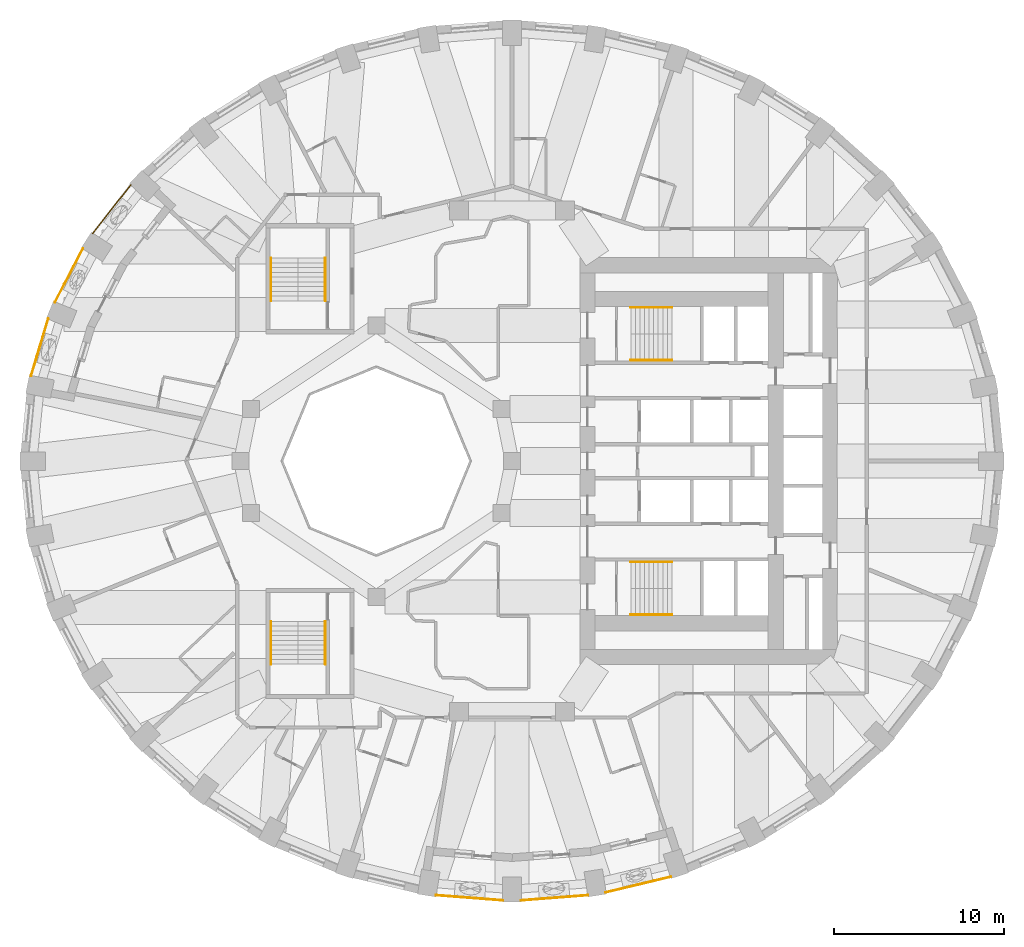
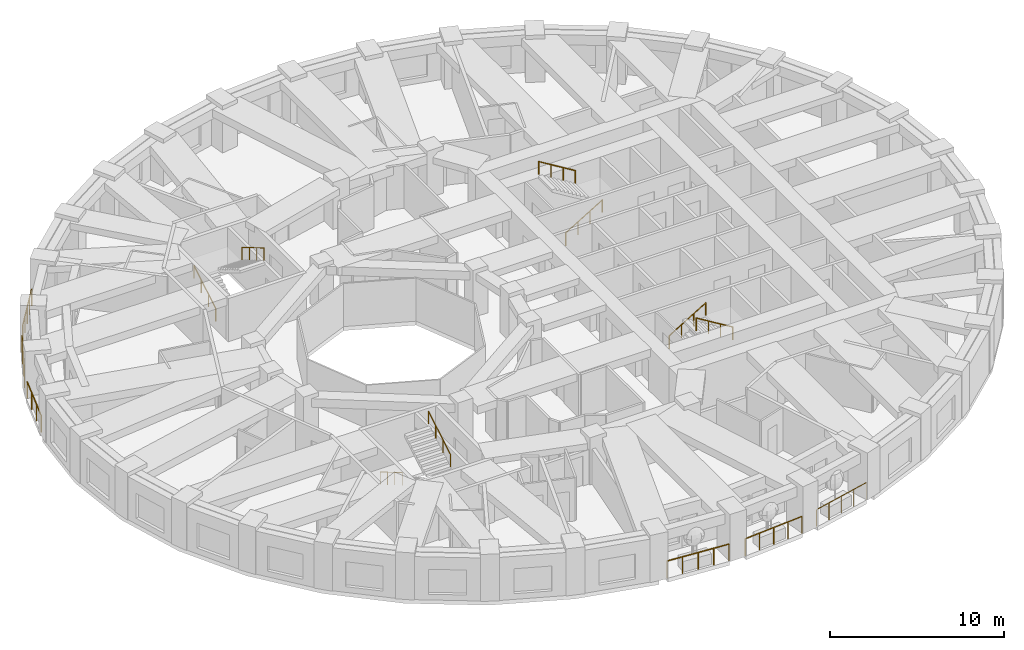
# One storey, part 11 of 13: 14 railings.
"""IFC4 building model written with IfcOpenShell, lengths in metres."""

from ifc_helpers import new_model, si_unit, direction, frame, origin, origin_2d, place, context, subcontext, project, spatial, circle, extrude, material, type_object, element, save


model = new_model("IFC4")

# Units and contexts
model_context = context("Model", 3, precision=1e-05, world=origin(), true_north=direction((0.0, 1.0)))
body_context = subcontext(model_context, "Body", "Model", "MODEL_VIEW")
ifc_project = project(units=[si_unit("LENGTHUNIT", "METRE"), si_unit("AREAUNIT", "SQUARE_METRE"), si_unit("VOLUMEUNIT", "CUBIC_METRE"), si_unit("PLANEANGLEUNIT", "RADIAN"), si_unit("MASSUNIT", "GRAM", prefix="KILO")], contexts=[model_context])

# Site, building, storey
site_placement = place(None, origin())
site = spatial("IfcSite", under=ifc_project, at=site_placement, CompositionType="ELEMENT")
building_placement = place(site_placement, origin())
building = spatial("IfcBuilding", under=site, at=building_placement, Name="Taillehof Tower", CompositionType="ELEMENT")
storey_placement = place(building_placement, frame((0.0, 0.0, 71.199951171875)))
storey = spatial("IfcBuildingStorey", under=building, at=storey_placement, Name="L19", CompositionType="ELEMENT", Elevation=71.199951171875)

# Railings
ifc_material_1 = material(Name="Stainless steel balustrade", Category="steel")
railing_type_1 = type_object("IfcRailingType", Name="Balcony guard 1200", PredefinedType="GUARDRAIL", material=ifc_material_1)
railing_1_placement = place(storey_placement, frame((-4.483154296875, -25.589111328125, 0.0)))
element("IfcRailing", 1, at=railing_1_placement, inside=storey, type_object=railing_type_1, Name="Balcony guard L19 bay 27", PredefinedType="GUARDRAIL", context=body_context, shape_type="SweptSolid", body=[
    extrude(circle(Radius=0.02392578125, at=origin_2d()), frame((0.0, 0.0, 1.17578125), z_axis=(0.996952571778, -0.078010061045, 0.0), x_axis=(0.078010061045, 0.996952571778, 0.0)), (0.0, 0.0, 1.0), 3.965087890625),
    extrude(circle(Radius=0.02099609375, at=origin_2d()), origin(), (0.0, 0.0, 1.0), 1.15185546875),
    extrude(circle(Radius=0.02099609375, at=origin_2d()), frame((0.98828125, -0.077392578125, 0.0)), (0.0, 0.0, 1.0), 1.15185546875),
    extrude(circle(Radius=0.02099609375, at=origin_2d()), frame((1.9765625, -0.15478515625, 0.0)), (0.0, 0.0, 1.0), 1.15185546875),
    extrude(circle(Radius=0.02099609375, at=origin_2d()), frame((2.96484375, -0.23193359375, 0.0)), (0.0, 0.0, 1.0), 1.15185546875),
    extrude(circle(Radius=0.02099609375, at=origin_2d()), frame((3.953125, -0.309326171875, 0.0)), (0.0, 0.0, 1.0), 1.15185546875),
])
railing_2_placement = place(storey_placement, frame((0.530029296875, -25.8984375, 0.0)))
element("IfcRailing", 2, at=railing_2_placement, inside=storey, type_object=railing_type_1, Name="Balcony guard L19 bay 28", PredefinedType="GUARDRAIL", context=body_context, shape_type="SweptSolid", body=[
    extrude(circle(Radius=0.02392578125, at=origin_2d()), frame((0.0, 0.0, 1.17578125), z_axis=(0.996952571778, 0.078010061045, 0.0), x_axis=(-0.078010061045, 0.996952571778, 0.0)), (0.0, 0.0, 1.0), 3.965087890625),
    extrude(circle(Radius=0.02099609375, at=origin_2d()), origin(), (0.0, 0.0, 1.0), 1.15185546875),
    extrude(circle(Radius=0.02099609375, at=origin_2d()), frame((0.98828125, 0.077392578125, 0.0)), (0.0, 0.0, 1.0), 1.15185546875),
    extrude(circle(Radius=0.02099609375, at=origin_2d()), frame((1.9765625, 0.15478515625, 0.0)), (0.0, 0.0, 1.0), 1.15185546875),
    extrude(circle(Radius=0.02099609375, at=origin_2d()), frame((2.96484375, 0.23193359375, 0.0)), (0.0, 0.0, 1.0), 1.15185546875),
    extrude(circle(Radius=0.02099609375, at=origin_2d()), frame((3.953125, 0.309326171875, 0.0)), (0.0, 0.0, 1.0), 1.15185546875),
])
railing_3_placement = place(storey_placement, frame((5.5302734375, -25.423828125, 0.0)))
element("IfcRailing", 3, at=railing_3_placement, inside=storey, type_object=railing_type_1, Name="Balcony guard L19 bay 29", PredefinedType="GUARDRAIL", context=body_context, shape_type="SweptSolid", body=[
    extrude(circle(Radius=0.02392578125, at=origin_2d()), frame((0.0, 0.0, 1.17578125), z_axis=(0.972495275648, 0.232922602687, 0.0), x_axis=(-0.232922602687, 0.972495275648, 0.0)), (0.0, 0.0, 1.0), 3.93701171875),
    extrude(circle(Radius=0.02099609375, at=origin_2d()), origin(), (0.0, 0.0, 1.0), 1.15185546875),
    extrude(circle(Radius=0.02099609375, at=origin_2d()), frame((0.95703125, 0.229248046875, 0.0)), (0.0, 0.0, 1.0), 1.15185546875),
    extrude(circle(Radius=0.02099609375, at=origin_2d()), frame((1.914306640625, 0.45849609375, 0.0)), (0.0, 0.0, 1.0), 1.15185546875),
    extrude(circle(Radius=0.02099609375, at=origin_2d()), frame((2.87158203125, 0.687744140625, 0.0)), (0.0, 0.0, 1.0), 1.15185546875),
    extrude(circle(Radius=0.02099609375, at=origin_2d()), frame((3.82861328125, 0.9169921875, 0.0)), (0.0, 0.0, 1.0), 1.15185546875),
])
railing_4_placement = place(storey_placement, frame((-22.472412109375, 16.28271484375, 0.0)))
element("IfcRailing", 4, at=railing_4_placement, inside=storey, type_object=railing_type_1, Name="Balcony guard L19 bay 15", PredefinedType="GUARDRAIL", context=body_context, shape_type="SweptSolid", body=[
    extrude(circle(Radius=0.02392578125, at=origin_2d()), frame((0.0, 0.0, 1.17578125), z_axis=(-0.616653661131, -0.787234566196, 0.0), x_axis=(0.787234566196, -0.616653661131, 0.0)), (0.0, 0.0, 1.0), 3.6396484375),
    extrude(circle(Radius=0.02099609375, at=origin_2d()), origin(), (0.0, 0.0, 1.0), 1.15185546875),
    extrude(circle(Radius=0.02099609375, at=origin_2d()), frame((-0.56103515625, -0.71630859375, 0.0)), (0.0, 0.0, 1.0), 1.15185546875),
    extrude(circle(Radius=0.02099609375, at=origin_2d()), frame((-1.1220703125, -1.4326171875, 0.0)), (0.0, 0.0, 1.0), 1.15185546875),
    extrude(circle(Radius=0.02099609375, at=origin_2d()), frame((-1.683349609375, -2.14892578125, 0.0)), (0.0, 0.0, 1.0), 1.15185546875),
    extrude(circle(Radius=0.02099609375, at=origin_2d()), frame((-2.244384765625, -2.865234375, 0.0)), (0.0, 0.0, 1.0), 1.15185546875),
])
railing_5_placement = place(storey_placement, frame((-25.291259765625, 12.526611328125, 0.0)))
element("IfcRailing", 5, at=railing_5_placement, inside=storey, type_object=railing_type_1, Name="Balcony guard L19 bay 16", PredefinedType="GUARDRAIL", context=body_context, shape_type="SweptSolid", body=[
    extrude(circle(Radius=0.02392578125, at=origin_2d()), frame((0.0, 0.0, 1.17578125), z_axis=(-0.462523854419, -0.886606837382, 0.0), x_axis=(0.886606837382, -0.462523854419, 0.0)), (0.0, 0.0, 1.0), 3.56298828125),
    extrude(circle(Radius=0.02099609375, at=origin_2d()), origin(), (0.0, 0.0, 1.0), 1.15185546875),
    extrude(circle(Radius=0.02099609375, at=origin_2d()), frame((-0.54931640625, -1.052978515625, 0.0)), (0.0, 0.0, 1.0), 1.15185546875),
    extrude(circle(Radius=0.02099609375, at=origin_2d()), frame((-1.0986328125, -2.10595703125, 0.0)), (0.0, 0.0, 1.0), 1.15185546875),
    extrude(circle(Radius=0.02099609375, at=origin_2d()), frame((-1.64794921875, -3.158935546875, 0.0)), (0.0, 0.0, 1.0), 1.15185546875),
])
railing_6_placement = place(storey_placement, frame((-27.33837890625, 8.385498046875, 0.0)))
element("IfcRailing", 6, at=railing_6_placement, inside=storey, type_object=railing_type_1, Name="Balcony guard L19 bay 17", PredefinedType="GUARDRAIL", context=body_context, shape_type="SweptSolid", body=[
    extrude(circle(Radius=0.02392578125, at=origin_2d()), frame((0.0, 0.0, 1.17578125), z_axis=(-0.287098668231, -0.957901015085, 0.0), x_axis=(0.957901015085, -0.287098668231, 0.0)), (0.0, 0.0, 1.0), 3.505126953125),
    extrude(circle(Radius=0.02099609375, at=origin_2d()), origin(), (0.0, 0.0, 1.0), 1.15185546875),
    extrude(circle(Radius=0.02099609375, at=origin_2d()), frame((-0.33544921875, -1.119140625, 0.0)), (0.0, 0.0, 1.0), 1.15185546875),
    extrude(circle(Radius=0.02099609375, at=origin_2d()), frame((-0.6708984375, -2.238525390625, 0.0)), (0.0, 0.0, 1.0), 1.15185546875),
    extrude(circle(Radius=0.02099609375, at=origin_2d()), frame((-1.00634765625, -3.357666015625, 0.0)), (0.0, 0.0, 1.0), 1.15185546875),
])
ifc_material_2 = material(Name="Stainless steel", Category="steel")
railing_type_2 = type_object("IfcRailingType", Name="Stair handrail 900", PredefinedType="HANDRAIL", material=ifc_material_2)
railing_7_placement = place(storey_placement, frame((7.0, 5.949951171875, 0.1650390625)))
element("IfcRailing", 7, at=railing_7_placement, inside=storey, type_object=railing_type_2, Name="Stair S1 handrail", PredefinedType="HANDRAIL", context=body_context, shape_type="SweptSolid", body=[
    extrude(circle(Radius=0.02392578125, at=origin_2d()), frame((0.0, 0.0, 0.8759765625), z_axis=(0.853258522278, 0.0, 0.521488153423), x_axis=(0.0, 1.0, 0.0)), (0.0, 0.0, 1.0), 2.847900390625),
    extrude(circle(Radius=0.02099609375, at=origin_2d()), origin(), (0.0, 0.0, 1.0), 0.851806640625),
    extrude(circle(Radius=0.02099609375, at=origin_2d()), frame((0.81005859375, 0.0, 0.4951171875)), (0.0, 0.0, 1.0), 0.851806640625),
    extrude(circle(Radius=0.02099609375, at=origin_2d()), frame((1.619873046875, 0.0, 0.989990234375)), (0.0, 0.0, 1.0), 0.851806640625),
    extrude(circle(Radius=0.02099609375, at=origin_2d()), frame((2.429931640625, 0.0, 1.485107421875)), (0.0, 0.0, 1.0), 0.851806640625),
])
railing_8_placement = place(storey_placement, frame((9.429931640625, 9.050048828125, 1.81494140625)))
element("IfcRailing", 8, at=railing_8_placement, inside=storey, type_object=railing_type_2, Name="Stair S1 handrail", PredefinedType="HANDRAIL", context=body_context, shape_type="SweptSolid", body=[
    extrude(circle(Radius=0.02392578125, at=origin_2d()), frame((0.0, 0.0, 0.8759765625), z_axis=(-0.853258522278, 0.0, 0.521488153423), x_axis=(0.0, -1.0, 0.0)), (0.0, 0.0, 1.0), 2.847900390625),
    extrude(circle(Radius=0.02099609375, at=origin_2d()), origin(), (0.0, 0.0, 1.0), 0.851806640625),
    extrude(circle(Radius=0.02099609375, at=origin_2d()), frame((-0.81005859375, 0.0, 0.4951171875)), (0.0, 0.0, 1.0), 0.851806640625),
    extrude(circle(Radius=0.02099609375, at=origin_2d()), frame((-1.619873046875, 0.0, 0.989990234375)), (0.0, 0.0, 1.0), 0.851806640625),
    extrude(circle(Radius=0.02099609375, at=origin_2d()), frame((-2.429931640625, 0.0, 1.485107421875)), (0.0, 0.0, 1.0), 0.851806640625),
])
railing_9_placement = place(storey_placement, frame((7.0, -5.949951171875, 0.1650390625)))
element("IfcRailing", 9, at=railing_9_placement, inside=storey, type_object=railing_type_2, Name="Stair S2 handrail", PredefinedType="HANDRAIL", context=body_context, shape_type="SweptSolid", body=[
    extrude(circle(Radius=0.02392578125, at=origin_2d()), frame((0.0, 0.0, 0.8759765625), z_axis=(0.853258522278, 0.0, 0.521488153423), x_axis=(0.0, 1.0, 0.0)), (0.0, 0.0, 1.0), 2.847900390625),
    extrude(circle(Radius=0.02099609375, at=origin_2d()), origin(), (0.0, 0.0, 1.0), 0.851806640625),
    extrude(circle(Radius=0.02099609375, at=origin_2d()), frame((0.81005859375, 0.0, 0.4951171875)), (0.0, 0.0, 1.0), 0.851806640625),
    extrude(circle(Radius=0.02099609375, at=origin_2d()), frame((1.619873046875, 0.0, 0.989990234375)), (0.0, 0.0, 1.0), 0.851806640625),
    extrude(circle(Radius=0.02099609375, at=origin_2d()), frame((2.429931640625, 0.0, 1.485107421875)), (0.0, 0.0, 1.0), 0.851806640625),
])
railing_10_placement = place(storey_placement, frame((9.429931640625, -9.050048828125, 1.81494140625)))
element("IfcRailing", 10, at=railing_10_placement, inside=storey, type_object=railing_type_2, Name="Stair S2 handrail", PredefinedType="HANDRAIL", context=body_context, shape_type="SweptSolid", body=[
    extrude(circle(Radius=0.02392578125, at=origin_2d()), frame((0.0, 0.0, 0.8759765625), z_axis=(-0.853258522278, 0.0, 0.521488153423), x_axis=(0.0, -1.0, 0.0)), (0.0, 0.0, 1.0), 2.847900390625),
    extrude(circle(Radius=0.02099609375, at=origin_2d()), origin(), (0.0, 0.0, 1.0), 0.851806640625),
    extrude(circle(Radius=0.02099609375, at=origin_2d()), frame((-0.81005859375, 0.0, 0.4951171875)), (0.0, 0.0, 1.0), 0.851806640625),
    extrude(circle(Radius=0.02099609375, at=origin_2d()), frame((-1.619873046875, 0.0, 0.989990234375)), (0.0, 0.0, 1.0), 0.851806640625),
    extrude(circle(Radius=0.02099609375, at=origin_2d()), frame((-2.429931640625, 0.0, 1.485107421875)), (0.0, 0.0, 1.0), 0.851806640625),
])
railing_11_placement = place(storey_placement, frame((-14.199951171875, 9.449951171875, 0.1650390625)))
element("IfcRailing", 11, at=railing_11_placement, inside=storey, type_object=railing_type_2, Name="Stair S3 handrail", PredefinedType="HANDRAIL", context=body_context, shape_type="SweptSolid", body=[
    extrude(circle(Radius=0.02392578125, at=origin_2d()), frame((0.0, 0.0, 0.8759765625), z_axis=(0.0, 0.86152411907, 0.507716645641), x_axis=(-1.0, 0.0, 0.0)), (0.0, 0.0, 1.0), 2.925048828125),
    extrude(circle(Radius=0.02099609375, at=origin_2d()), origin(), (0.0, 0.0, 1.0), 0.851806640625),
    extrude(circle(Radius=0.02099609375, at=origin_2d()), frame((0.0, 0.840087890625, 0.4951171875)), (0.0, 0.0, 1.0), 0.851806640625),
    extrude(circle(Radius=0.02099609375, at=origin_2d()), frame((0.0, 1.679931640625, 0.989990234375)), (0.0, 0.0, 1.0), 0.851806640625),
    extrude(circle(Radius=0.02099609375, at=origin_2d()), frame((0.0, 2.52001953125, 1.485107421875)), (0.0, 0.0, 1.0), 0.851806640625),
])
for number, where, name in (
    (12, (-11.0, 11.969970703125, 1.81494140625), "Stair S3 handrail"),
    (13, (-14.199951171875, -9.449951171875, 0.1650390625), "Stair S4 handrail"),
):
    element("IfcRailing", number, at=place(storey_placement, frame(where)), inside=storey, type_object=railing_type_2, Name=name, PredefinedType="HANDRAIL", context=body_context, shape_type="SweptSolid", body=[
        extrude(circle(Radius=0.02392578125, at=origin_2d()), frame((0.0, 0.0, 0.8759765625), z_axis=(0.0, -0.86152411907, 0.507716645641), x_axis=(1.0, 0.0, 0.0)), (0.0, 0.0, 1.0), 2.925048828125),
        extrude(circle(Radius=0.02099609375, at=origin_2d()), origin(), (0.0, 0.0, 1.0), 0.851806640625),
        extrude(circle(Radius=0.02099609375, at=origin_2d()), frame((0.0, -0.840087890625, 0.4951171875)), (0.0, 0.0, 1.0), 0.851806640625),
        extrude(circle(Radius=0.02099609375, at=origin_2d()), frame((0.0, -1.679931640625, 0.989990234375)), (0.0, 0.0, 1.0), 0.851806640625),
        extrude(circle(Radius=0.02099609375, at=origin_2d()), frame((0.0, -2.52001953125, 1.485107421875)), (0.0, 0.0, 1.0), 0.851806640625),
    ])
railing_12_placement = place(storey_placement, frame((-11.0, -11.969970703125, 1.81494140625)))
element("IfcRailing", 14, at=railing_12_placement, inside=storey, type_object=railing_type_2, Name="Stair S4 handrail", PredefinedType="HANDRAIL", context=body_context, shape_type="SweptSolid", body=[
    extrude(circle(Radius=0.02392578125, at=origin_2d()), frame((0.0, 0.0, 0.8759765625), z_axis=(0.0, 0.86152411907, 0.507716645641), x_axis=(-1.0, 0.0, 0.0)), (0.0, 0.0, 1.0), 2.925048828125),
    extrude(circle(Radius=0.02099609375, at=origin_2d()), origin(), (0.0, 0.0, 1.0), 0.851806640625),
    extrude(circle(Radius=0.02099609375, at=origin_2d()), frame((0.0, 0.840087890625, 0.4951171875)), (0.0, 0.0, 1.0), 0.851806640625),
    extrude(circle(Radius=0.02099609375, at=origin_2d()), frame((0.0, 1.679931640625, 0.989990234375)), (0.0, 0.0, 1.0), 0.851806640625),
    extrude(circle(Radius=0.02099609375, at=origin_2d()), frame((0.0, 2.52001953125, 1.485107421875)), (0.0, 0.0, 1.0), 0.851806640625),
])

save(model, "model.ifc")
